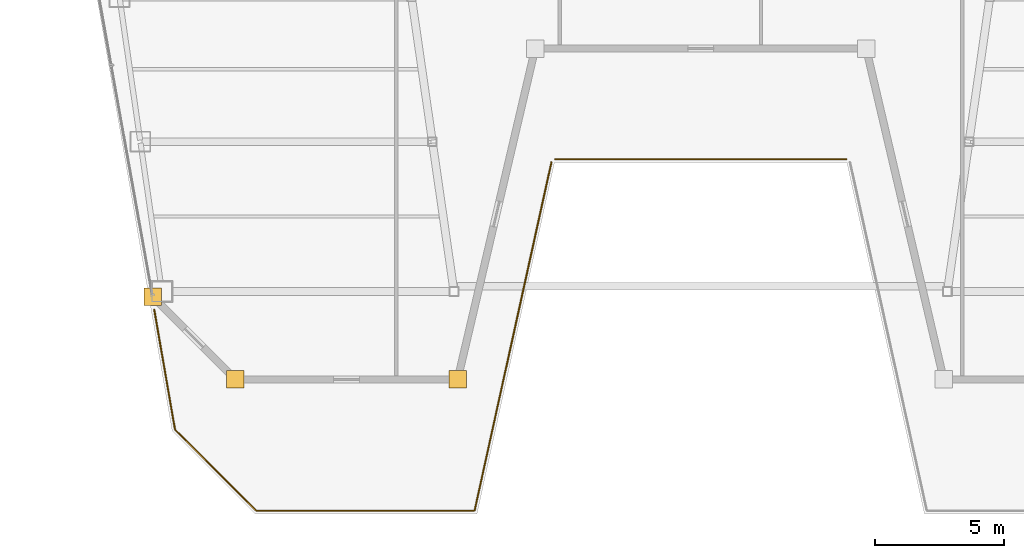
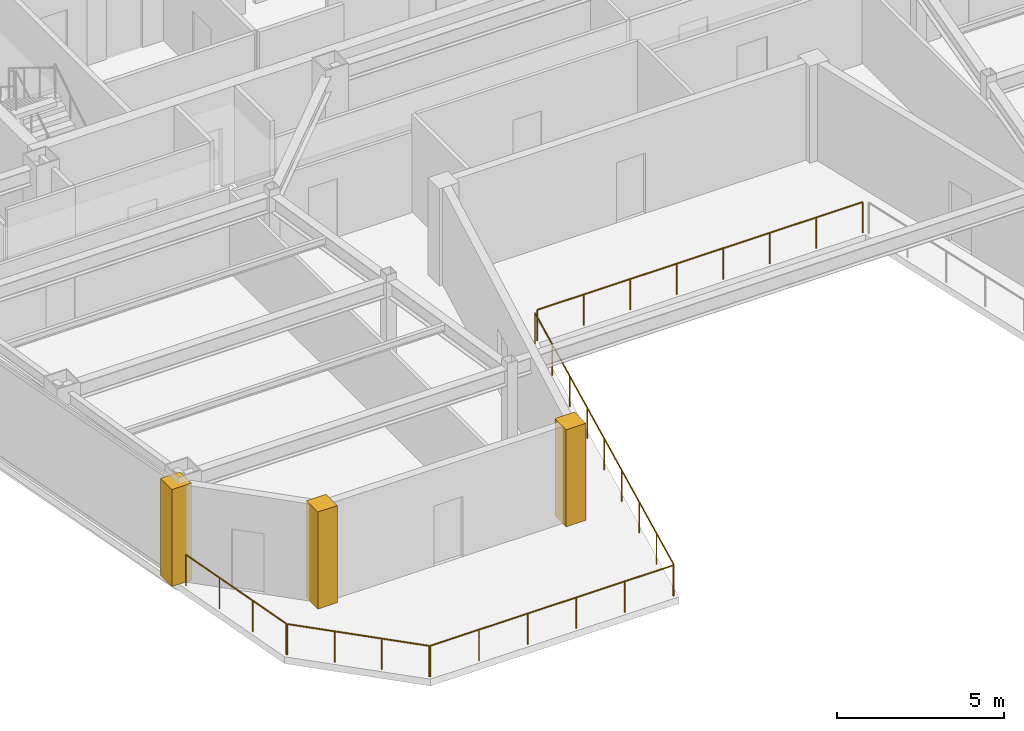
# One storey, part 24 of 28: 5 railings, 3 coverings.
"""IFC4 building model written with IfcOpenShell, lengths in metres."""

from ifc_helpers import new_model, si_unit, direction, frame, origin, origin_2d, place, context, subcontext, project, spatial, polyline, circle, outline, extrude, material, layer, layer_set, type_object, element, save


model = new_model("IFC4")

# Units and contexts
model_context = context("Model", 3, precision=1e-05, world=origin(), true_north=direction((0.0, 1.0)))
body_context = subcontext(model_context, "Body", "Model", "MODEL_VIEW")
ifc_project = project(units=[si_unit("LENGTHUNIT", "METRE"), si_unit("AREAUNIT", "SQUARE_METRE"), si_unit("VOLUMEUNIT", "CUBIC_METRE"), si_unit("PLANEANGLEUNIT", "RADIAN"), si_unit("MASSUNIT", "GRAM", prefix="KILO")], contexts=[model_context])

# Site, building, storey
site_placement = place(None, origin())
site = spatial("IfcSite", under=ifc_project, at=site_placement, CompositionType="ELEMENT")
building_placement = place(site_placement, origin())
building = spatial("IfcBuilding", under=site, at=building_placement, Name="Saevonmaru Cultural Tower", CompositionType="ELEMENT")
storey_placement = place(building_placement, frame((0.0, 0.0, 253.39990234375)))
storey = spatial("IfcBuildingStorey", under=building, at=storey_placement, Name="L59", CompositionType="ELEMENT", Elevation=253.39990234375)

# Coverings
ifc_material = material(Name="Satin Bronze Anodised Aluminium", Category="aluminium")
ifc_layer = layer(ifc_material, 0.679931640625, Name="Satin Bronze Anodised Aluminium")
ifc_layer_set = layer_set([ifc_layer], Name="Satin Bronze Anodised Aluminium")
covering_type = type_object("IfcCoveringType", Name="CV-CORNER-CLAD", PredefinedType="CLADDING", material=ifc_layer_set)
covering_1_placement = place(storey_placement, origin())
element("IfcCovering", 1, at=covering_1_placement, inside=storey, type_object=covering_type, Name="L59 Tower Bronze Corner Cladding Pier 1", PredefinedType="CLADDING", context=body_context, shape_type="SweptSolid", body=[
    extrude(outline(polyline([(8.4560546875, 25.659912109375), (9.135986328125, 25.659912109375), (9.135986328125, 26.340087890625), (8.4560546875, 26.340087890625), (8.4560546875, 25.659912109375)])), origin(), (0.0, 0.0, 1.0), 3.550048828125),
])
covering_2_placement = place(storey_placement, origin())
element("IfcCovering", 2, at=covering_2_placement, inside=storey, type_object=covering_type, Name="L59 Tower Bronze Corner Cladding Pier 2", PredefinedType="CLADDING", context=body_context, shape_type="SweptSolid", body=[
    extrude(outline(polyline([(11.656005859375, 22.4599609375), (12.3359375, 22.4599609375), (12.3359375, 23.139892578125), (11.656005859375, 23.139892578125), (11.656005859375, 22.4599609375)])), origin(), (0.0, 0.0, 1.0), 3.550048828125),
])
covering_3_placement = place(storey_placement, origin())
element("IfcCovering", 3, at=covering_3_placement, inside=storey, type_object=covering_type, Name="L59 Tower Bronze Corner Cladding Pier 3", PredefinedType="CLADDING", context=body_context, shape_type="SweptSolid", body=[
    extrude(outline(polyline([(20.256103515625, 22.4599609375), (20.93603515625, 22.4599609375), (20.93603515625, 23.139892578125), (20.256103515625, 23.139892578125), (20.256103515625, 22.4599609375)])), origin(), (0.0, 0.0, 1.0), 3.550048828125),
])

# Railings
railing_type = type_object("IfcRailingType", Name="RL-BALUSTRADE-1150", PredefinedType="BALUSTRADE", material=ifc_material)
railing_1_placement = place(storey_placement, frame((35.633056640625, 31.320068359375, 0.0)))
element("IfcRailing", 4, at=railing_1_placement, inside=storey, type_object=railing_type, Name="L59 Setback Terrace Balustrade 1-5", PredefinedType="BALUSTRADE", context=body_context, shape_type="SweptSolid", body=[
    extrude(circle(Radius=0.02392578125, at=origin_2d()), frame((0.0, 0.0, 1.1259765625), z_axis=(-1.0, 0.0, 0.0), x_axis=(0.0, -1.0, 0.0)), (0.0, 0.0, 1.0), 11.26611328125),
    extrude(circle(Radius=0.02099609375, at=origin_2d()), origin(), (0.0, 0.0, 1.0), 1.101806640625),
    extrude(circle(Radius=0.02099609375, at=origin_2d()), frame((-1.609375, 0.0, 0.0)), (0.0, 0.0, 1.0), 1.101806640625),
    extrude(circle(Radius=0.02099609375, at=origin_2d()), frame((-3.218994140625, 0.0, 0.0)), (0.0, 0.0, 1.0), 1.101806640625),
    extrude(circle(Radius=0.02099609375, at=origin_2d()), frame((-4.828369140625, 0.0, 0.0)), (0.0, 0.0, 1.0), 1.101806640625),
    extrude(circle(Radius=0.02099609375, at=origin_2d()), frame((-6.437744140625, 0.0, 0.0)), (0.0, 0.0, 1.0), 1.101806640625),
    extrude(circle(Radius=0.02099609375, at=origin_2d()), frame((-8.047119140625, 0.0, 0.0)), (0.0, 0.0, 1.0), 1.101806640625),
    extrude(circle(Radius=0.02099609375, at=origin_2d()), frame((-9.65673828125, 0.0, 0.0)), (0.0, 0.0, 1.0), 1.101806640625),
    extrude(circle(Radius=0.02099609375, at=origin_2d()), frame((-11.26611328125, 0.0, 0.0)), (0.0, 0.0, 1.0), 1.101806640625),
])
railing_2_placement = place(storey_placement, frame((24.2255859375, 31.20654296875, 0.0)))
element("IfcRailing", 5, at=railing_2_placement, inside=storey, type_object=railing_type, Name="L59 Setback Terrace Balustrade 1-6", PredefinedType="BALUSTRADE", context=body_context, shape_type="SweptSolid", body=[
    extrude(circle(Radius=0.02392578125, at=origin_2d()), frame((0.0, 0.0, 1.1259765625), z_axis=(-0.215445653227, -0.976515832184, 0.0), x_axis=(0.976515832184, -0.215445653227, 0.0)), (0.0, 0.0, 1.0), 13.791015625),
    extrude(circle(Radius=0.02099609375, at=origin_2d()), origin(), (0.0, 0.0, 1.0), 1.101806640625),
    extrude(circle(Radius=0.02099609375, at=origin_2d()), frame((-0.371337890625, -1.683349609375, 0.0)), (0.0, 0.0, 1.0), 1.101806640625),
    extrude(circle(Radius=0.02099609375, at=origin_2d()), frame((-0.74267578125, -3.36669921875, 0.0)), (0.0, 0.0, 1.0), 1.101806640625),
    extrude(circle(Radius=0.02099609375, at=origin_2d()), frame((-1.1142578125, -5.050048828125, 0.0)), (0.0, 0.0, 1.0), 1.101806640625),
    extrude(circle(Radius=0.02099609375, at=origin_2d()), frame((-1.485595703125, -6.7333984375, 0.0)), (0.0, 0.0, 1.0), 1.101806640625),
    extrude(circle(Radius=0.02099609375, at=origin_2d()), frame((-1.85693359375, -8.4169921875, 0.0)), (0.0, 0.0, 1.0), 1.101806640625),
    extrude(circle(Radius=0.02099609375, at=origin_2d()), frame((-2.228515625, -10.100341796875, 0.0)), (0.0, 0.0, 1.0), 1.101806640625),
    extrude(circle(Radius=0.02099609375, at=origin_2d()), frame((-2.599853515625, -11.78369140625, 0.0)), (0.0, 0.0, 1.0), 1.101806640625),
    extrude(circle(Radius=0.02099609375, at=origin_2d()), frame((-2.97119140625, -13.467041015625, 0.0)), (0.0, 0.0, 1.0), 1.101806640625),
])
railing_3_placement = place(storey_placement, frame((21.22998046875, 17.719970703125, 0.0)))
element("IfcRailing", 6, at=railing_3_placement, inside=storey, type_object=railing_type, Name="L59 Setback Terrace Balustrade 1-7", PredefinedType="BALUSTRADE", context=body_context, shape_type="SweptSolid", body=[
    extrude(circle(Radius=0.02392578125, at=origin_2d()), frame((0.0, 0.0, 1.1259765625), z_axis=(-1.0, 0.0, 0.0), x_axis=(0.0, -1.0, 0.0)), (0.0, 0.0, 1.0), 8.4140625),
    extrude(circle(Radius=0.02099609375, at=origin_2d()), origin(), (0.0, 0.0, 1.0), 1.101806640625),
    extrude(circle(Radius=0.02099609375, at=origin_2d()), frame((-1.682861328125, 0.0, 0.0)), (0.0, 0.0, 1.0), 1.101806640625),
    extrude(circle(Radius=0.02099609375, at=origin_2d()), frame((-3.36572265625, 0.0, 0.0)), (0.0, 0.0, 1.0), 1.101806640625),
    extrude(circle(Radius=0.02099609375, at=origin_2d()), frame((-5.04833984375, 0.0, 0.0)), (0.0, 0.0, 1.0), 1.101806640625),
    extrude(circle(Radius=0.02099609375, at=origin_2d()), frame((-6.731201171875, 0.0, 0.0)), (0.0, 0.0, 1.0), 1.101806640625),
    extrude(circle(Radius=0.02099609375, at=origin_2d()), frame((-8.4140625, 0.0, 0.0)), (0.0, 0.0, 1.0), 1.101806640625),
])
railing_4_placement = place(storey_placement, frame((12.781982421875, 17.734130859375, 0.0)))
element("IfcRailing", 7, at=railing_4_placement, inside=storey, type_object=railing_type, Name="L59 Setback Terrace Balustrade 1-8", PredefinedType="BALUSTRADE", context=body_context, shape_type="SweptSolid", body=[
    extrude(circle(Radius=0.02392578125, at=origin_2d()), frame((0.0, 0.0, 1.1259765625), z_axis=(-0.707106781187, 0.707106781187, 0.0), x_axis=(-0.707106781187, -0.707106781187, 0.0)), (0.0, 0.0, 1.0), 4.39794921875),
    extrude(circle(Radius=0.02099609375, at=origin_2d()), origin(), (0.0, 0.0, 1.0), 1.101806640625),
    extrude(circle(Radius=0.02099609375, at=origin_2d()), frame((-1.03662109375, 1.03662109375, 0.0)), (0.0, 0.0, 1.0), 1.101806640625),
    extrude(circle(Radius=0.02099609375, at=origin_2d()), frame((-2.0732421875, 2.0732421875, 0.0)), (0.0, 0.0, 1.0), 1.101806640625),
    extrude(circle(Radius=0.02099609375, at=origin_2d()), frame((-3.10986328125, 3.10986328125, 0.0)), (0.0, 0.0, 1.0), 1.101806640625),
])
railing_5_placement = place(storey_placement, frame((9.654541015625, 20.877685546875, 0.0)))
element("IfcRailing", 8, at=railing_5_placement, inside=storey, type_object=railing_type, Name="L59 Setback Terrace Balustrade 1-9", PredefinedType="BALUSTRADE", context=body_context, shape_type="SweptSolid", body=[
    extrude(circle(Radius=0.02392578125, at=origin_2d()), frame((0.0, 0.0, 1.1259765625), z_axis=(-0.170706578464, 0.985321908855, 0.0), x_axis=(-0.985321908855, -0.170706578464, 0.0)), (0.0, 0.0, 1.0), 4.6923828125),
    extrude(circle(Radius=0.02099609375, at=origin_2d()), origin(), (0.0, 0.0, 1.0), 1.101806640625),
    extrude(circle(Radius=0.02099609375, at=origin_2d()), frame((-0.26708984375, 1.541259765625, 0.0)), (0.0, 0.0, 1.0), 1.101806640625),
    extrude(circle(Radius=0.02099609375, at=origin_2d()), frame((-0.533935546875, 3.082275390625, 0.0)), (0.0, 0.0, 1.0), 1.101806640625),
    extrude(circle(Radius=0.02099609375, at=origin_2d()), frame((-0.801025390625, 4.62353515625, 0.0)), (0.0, 0.0, 1.0), 1.101806640625),
])

save(model, "model.ifc")
